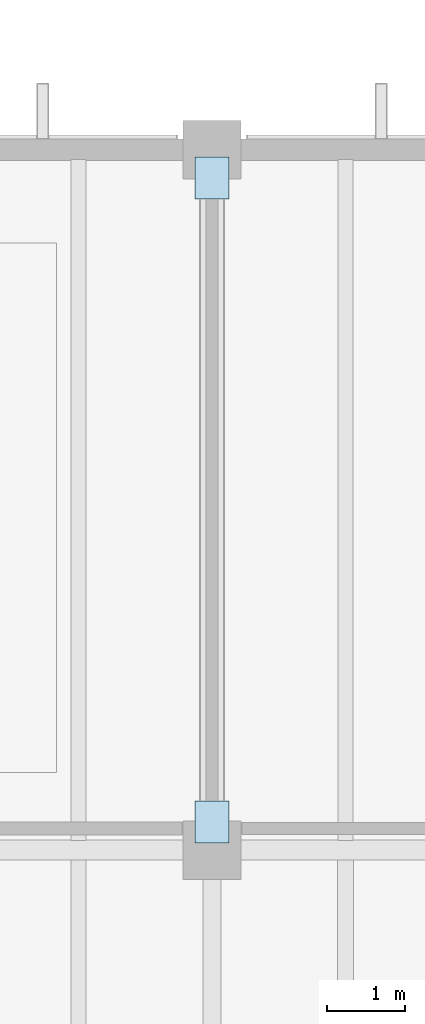
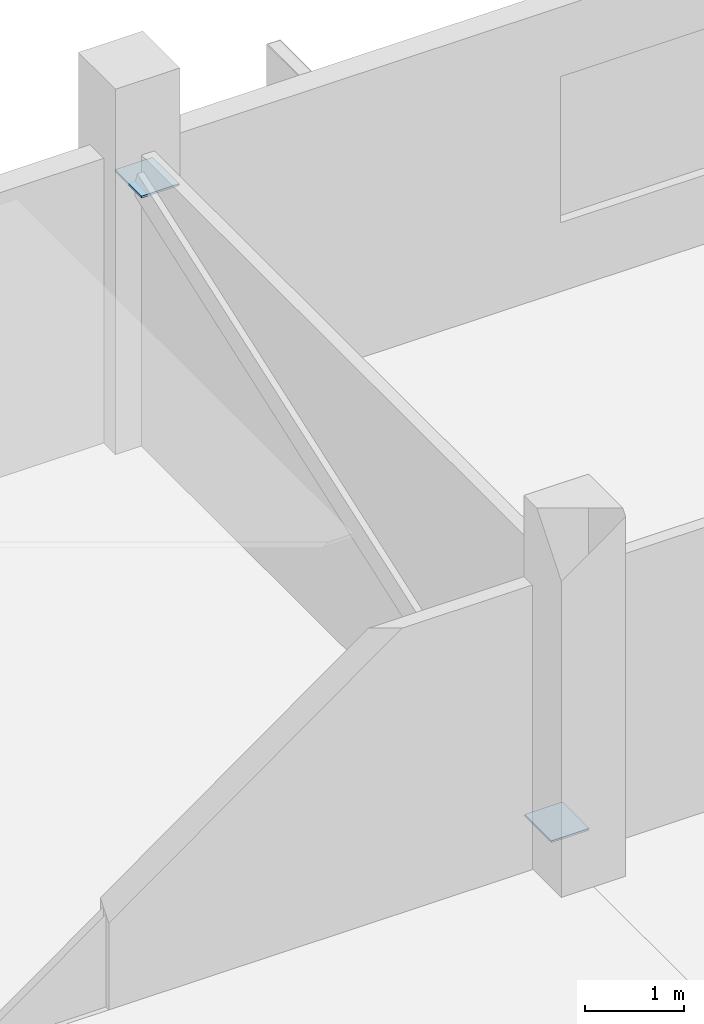
# One storey, part 87 of 114: 2 plates.
"""IFC4 building model written with IfcOpenShell, lengths in metres."""

from ifc_helpers import new_model, si_unit, direction, frame, origin, origin_2d, place, context, subcontext, project, spatial, rectangle, extrude, material, layer, layer_set, type_object, element, save


model = new_model("IFC4")

# Units and contexts
model_context = context("Model", 3, precision=1e-05, world=origin(), true_north=direction((0.0, 1.0)))
body_context = subcontext(model_context, "Body", "Model", "MODEL_VIEW")
ifc_project = project(units=[si_unit("LENGTHUNIT", "METRE"), si_unit("AREAUNIT", "SQUARE_METRE"), si_unit("VOLUMEUNIT", "CUBIC_METRE"), si_unit("PLANEANGLEUNIT", "RADIAN"), si_unit("MASSUNIT", "GRAM", prefix="KILO")], contexts=[model_context])

# Site, building, storey
site_placement = place(None, origin())
site = spatial("IfcSite", under=ifc_project, at=site_placement, CompositionType="ELEMENT")
building_placement = place(site_placement, origin())
building = spatial("IfcBuilding", under=site, at=building_placement, Name="Kelmvaro Bay Concert Hall", CompositionType="ELEMENT")
storey_placement = place(building_placement, frame((0.0, 0.0, 4.800048828125)))
storey = spatial("IfcBuildingStorey", under=building, at=storey_placement, Name="L01", CompositionType="ELEMENT", Elevation=4.800048828125)

# Plates
ifc_material = material(Name="Steel ASTM A572 Grade 50", Category="steel")
ifc_layer = layer(ifc_material, 0.02392578125)
ifc_layer_set = layer_set([ifc_layer], Name="Steel ASTM A572 Grade 50")
plate_type = type_object("IfcPlateType", Name="Lateral Brace Node Gusset Plate 540x440x24", PredefinedType="SHEET", material=ifc_layer_set)
for number, where, z_axis, x_axis, name in (
    (1, (156.0, 30.364501953125, 0.334228515625), (0.0, 0.0, 1.0), (0.0, 1.0, 0.0), "L01 Lateral Diagonal Brace V4-E End Cap Plate 1 (ND-04)"),
    (2, (156.0, 38.635498046875, 3.26171875), (0.0, 0.0, 1.0), (0.0, 1.0, 0.0), "L01 Lateral Diagonal Brace V4-E End Cap Plate 2 (ND-04)"),
):
    element("IfcPlate", number, at=place(storey_placement, frame(where, z_axis=z_axis, x_axis=x_axis)), inside=storey, type_object=plate_type, Name=name, PredefinedType="SHEET", context=body_context, shape_type="SweptSolid", body=[
        extrude(rectangle(XDim=0.5400390625, YDim=0.43994140625, at=origin_2d()), origin(), (0.0, 0.0, 1.0), 0.02392578125),
    ])

save(model, "model.ifc")
